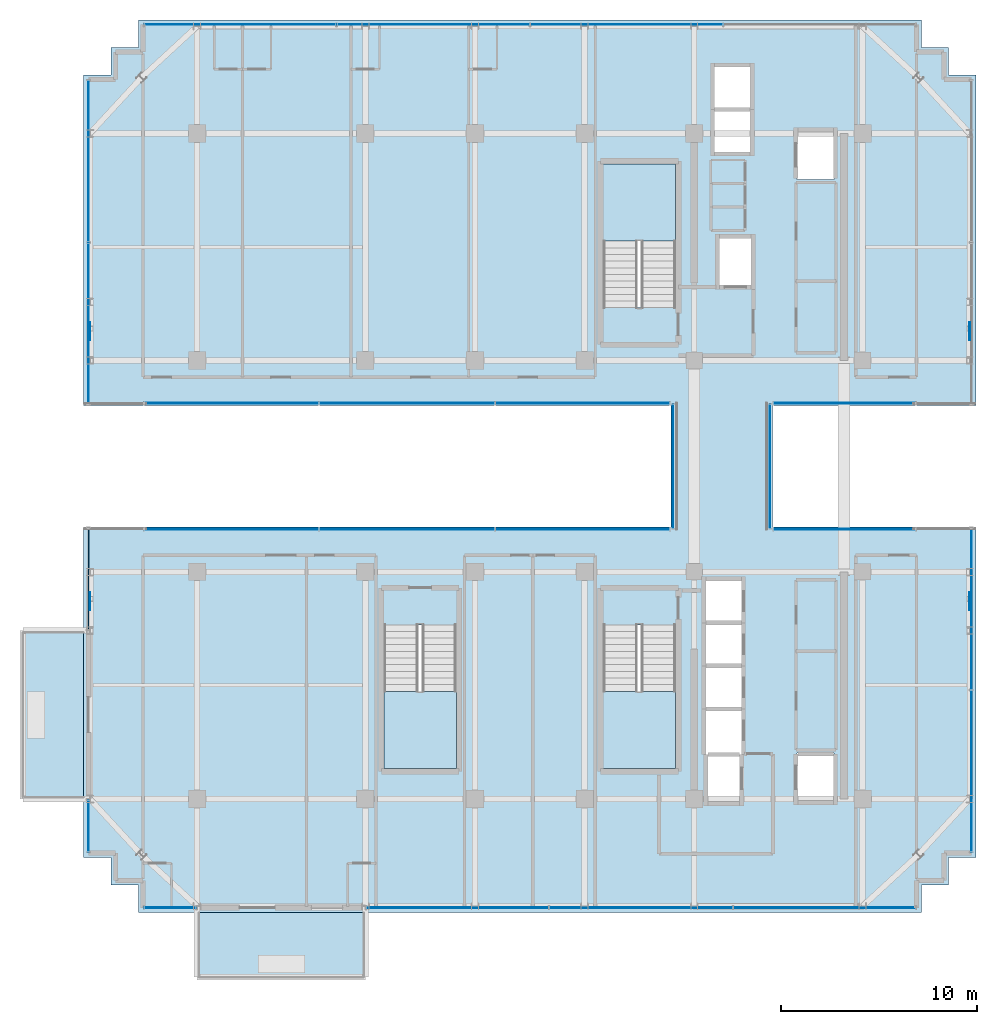
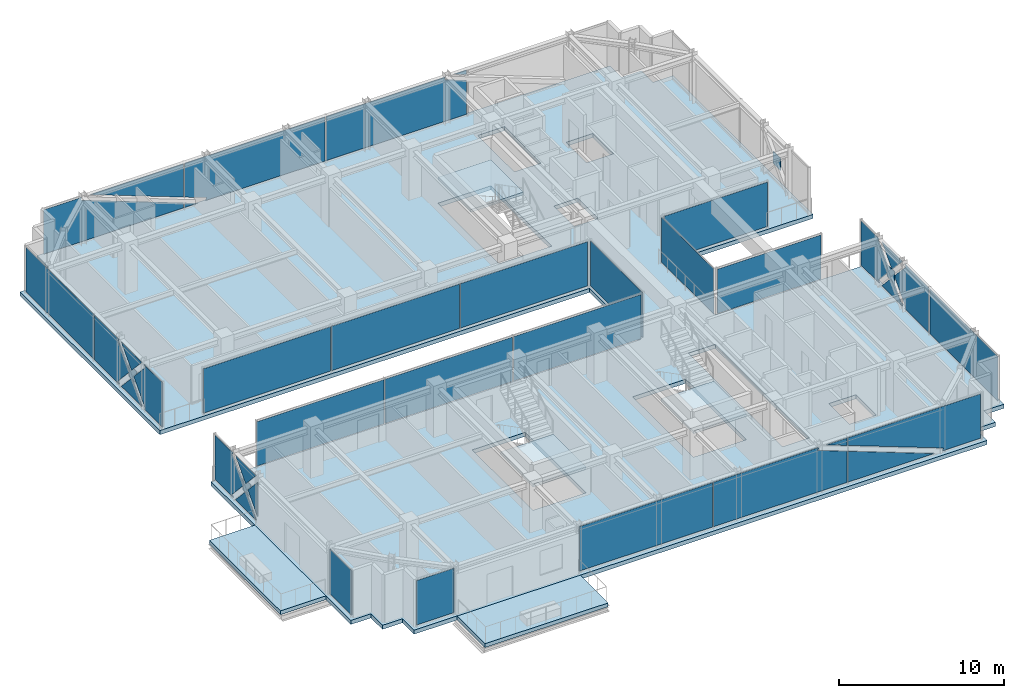
# One storey, part 29 of 37: 27 plates, 6 slabs, 16 elements without a shape of their own.
"""IFC4 building model written with IfcOpenShell, lengths in metres."""

from ifc_helpers import new_model, si_unit, direction, frame, origin, origin_2d, place, context, subcontext, project, spatial, polyline, rectangle, outline, extrude, source, transform, mapped, material, layer, layer_set, type_object, element, aggregate, save


model = new_model("IFC4")

# Units and contexts
model_context = context("Model", 3, precision=1e-05, world=origin(), true_north=direction((0.0, 1.0)))
body_context = subcontext(model_context, "Body", "Model", "MODEL_VIEW")
ifc_project = project(units=[si_unit("LENGTHUNIT", "METRE"), si_unit("AREAUNIT", "SQUARE_METRE"), si_unit("VOLUMEUNIT", "CUBIC_METRE"), si_unit("PLANEANGLEUNIT", "RADIAN"), si_unit("MASSUNIT", "GRAM", prefix="KILO")], contexts=[model_context])

# Site, building, storey
site_placement = place(None, origin())
site = spatial("IfcSite", under=ifc_project, at=site_placement, CompositionType="ELEMENT")
building_placement = place(site_placement, origin())
building = spatial("IfcBuilding", under=site, at=building_placement, Name="Nahalor Promenade Grand Hotel", CompositionType="ELEMENT")
storey_placement = place(building_placement, frame((0.0, 0.0, 292.64990234375)))
storey = spatial("IfcBuildingStorey", under=building, at=storey_placement, Name="L75", CompositionType="ELEMENT", Elevation=292.64990234375)

# Curtain wall, plates
ifc_material_1 = material(Name="Anodised Bronze Aluminium EN AW-6063 T6", Category="aluminium")
curtain_wall_type_1 = type_object("IfcCurtainWallType", Name="CW3 Elliptical-Void Collar Unitised Curtain Wall", PredefinedType="USERDEFINED", material=ifc_material_1)
curtain_wall_1_placement = place(storey_placement, origin())
curtain_wall_1 = element("IfcCurtainWall", 1, at=curtain_wall_1_placement, inside=storey, type_object=curtain_wall_type_1, Name="L75 Curtain Wall CW-L75-S-3", ObjectType="UNITISED_CURTAIN_WALL", PredefinedType="USERDEFINED")
ifc_material_2 = material(Name="Low-E Laminated Solar Glass", Category="glass")
ifc_layer_1 = layer(ifc_material_2, 0.030029296875)
ifc_layer_set_1 = layer_set([ifc_layer_1], Name="Low-E Laminated Solar Glass")
plate_type_1 = type_object("IfcPlateType", Name="CWP3 High-Wind Laminated Bronze IGU 30mm", PredefinedType="CURTAIN_PANEL", material=ifc_layer_set_1)
plate_1_placement = place(storey_placement, frame((5.679931640625, -22.56005859375, 0.14013671875), z_axis=(0.0, 0.0, 1.0), x_axis=(1.0, 0.0, 0.0)))
plate_1 = element("IfcPlate", 2, at=plate_1_placement, type_object=plate_type_1, Name="CW-L75-S-3 Glazing Panel 1-0", PredefinedType="CURTAIN_PANEL", context=body_context, shape_type="SweptSolid", body=[
    extrude(outline(polyline([(-4.658447265625, 0.0), (4.658447265625, 0.0), (4.658447265625, 2.313720703125), (2.6259765625, 3.081787109375), (2.697021484375, 3.27001953125), (-4.658447265625, 3.27001953125), (-4.658447265625, 0.0)])), frame((0.0, 0.01513671875, 0.0), z_axis=(0.0, -1.0, 0.0), x_axis=(1.0, 0.0, 0.0)), (0.0, 0.0, 1.0), 0.030029296875),
    extrude(outline(polyline([(4.658447265625, 2.7412109375), (4.658447265625, 3.27001953125), (3.25927734375, 3.27001953125), (4.658447265625, 2.7412109375)])), frame((0.0, 0.01513671875, 0.0), z_axis=(0.0, -1.0, 0.0), x_axis=(1.0, 0.0, 0.0)), (0.0, 0.0, 1.0), 0.030029296875),
])
plate_2_placement = place(storey_placement, frame((15.049072265625, -22.56005859375, 0.14013671875), z_axis=(0.0, 0.0, 1.0), x_axis=(1.0, 0.0, 0.0)))
plate_2 = element("IfcPlate", 3, at=plate_2_placement, type_object=plate_type_1, Name="CW-L75-S-3 Glazing Panel 2-0", PredefinedType="CURTAIN_PANEL", context=body_context, shape_type="SweptSolid", body=[
    extrude(outline(polyline([(4.640869140625, 3.27001953125), (-4.640869140625, 3.27001953125), (-4.640869140625, 2.71484375), (2.044921875, 0.188232421875), (1.973876953125, 0.0), (4.640869140625, 0.0), (4.640869140625, 3.27001953125)])), frame((0.0, 0.01513671875, 0.0), z_axis=(0.0, -1.0, 0.0), x_axis=(1.0, 0.0, 0.0)), (0.0, 0.0, 1.0), 0.030029296875),
    extrude(outline(polyline([(-4.640869140625, 2.287353515625), (-4.640869140625, 0.0), (1.41162109375, 0.0), (-4.640869140625, 2.287353515625)])), frame((0.0, 0.01513671875, 0.0), z_axis=(0.0, -1.0, 0.0), x_axis=(1.0, 0.0, 0.0)), (0.0, 0.0, 1.0), 0.030029296875),
])

curtain_wall_2_placement = place(storey_placement, origin())
curtain_wall_2 = element("IfcCurtainWall", 4, at=curtain_wall_2_placement, inside=storey, type_object=curtain_wall_type_1, Name="L75 Curtain Wall CW-L75-N-1", ObjectType="UNITISED_CURTAIN_WALL", PredefinedType="USERDEFINED")
plate_3_placement = place(storey_placement, frame((-14.802490234375, 22.56005859375, 0.14013671875), z_axis=(0.0, 0.0, 1.0), x_axis=(1.0, 0.0, 0.0)))
plate_3 = element("IfcPlate", 5, at=plate_3_placement, type_object=plate_type_1, Name="CW-L75-N-1 Glazing Panel 0-0", PredefinedType="CURTAIN_PANEL", context=body_context, shape_type="SweptSolid", body=[
    extrude(outline(polyline([(-4.887451171875, 0.0), (4.887451171875, 0.0), (4.887451171875, 0.36865234375), (-2.29150390625, 3.081787109375), (-2.220458984375, 3.27001953125), (-4.887451171875, 3.27001953125), (-4.887451171875, 0.0)])), frame((0.0, 0.01513671875, 0.0), z_axis=(0.0, -1.0, 0.0), x_axis=(1.0, 0.0, 0.0)), (0.0, 0.0, 1.0), 0.030029296875),
    extrude(outline(polyline([(4.887451171875, 0.79638671875), (4.887451171875, 3.27001953125), (-1.658203125, 3.27001953125), (4.887451171875, 0.79638671875)])), frame((0.0, 0.01513671875, 0.0), z_axis=(0.0, -1.0, 0.0), x_axis=(1.0, 0.0, 0.0)), (0.0, 0.0, 1.0), 0.030029296875),
])
plate_4_placement = place(storey_placement, frame((-4.93994140625, 22.56005859375, 0.14013671875), z_axis=(0.0, 0.0, 1.0), x_axis=(1.0, 0.0, 0.0)))
plate_4 = element("IfcPlate", 6, at=plate_4_placement, type_object=plate_type_1, Name="CW-L75-N-1 Glazing Panel 1-0", PredefinedType="CURTAIN_PANEL", context=body_context, shape_type="SweptSolid", body=[
    extrude(outline(polyline([(4.905029296875, 3.27001953125), (-4.905029296875, 3.27001953125), (-4.905029296875, 0.769775390625), (-3.365966796875, 0.188232421875), (-3.43701171875, 0.0), (4.905029296875, 0.0), (4.905029296875, 3.27001953125)])), frame((0.0, 0.01513671875, 0.0), z_axis=(0.0, -1.0, 0.0), x_axis=(1.0, 0.0, 0.0)), (0.0, 0.0, 1.0), 0.030029296875),
    extrude(outline(polyline([(-4.905029296875, 0.34228515625), (-4.905029296875, 0.0), (-3.999267578125, 0.0), (-4.905029296875, 0.34228515625)])), frame((0.0, 0.01513671875, 0.0), z_axis=(0.0, -1.0, 0.0), x_axis=(1.0, 0.0, 0.0)), (0.0, 0.0, 1.0), 0.030029296875),
])
plate_5_placement = place(storey_placement, frame((4.93994140625, 22.56005859375, 0.14013671875), z_axis=(0.0, 0.0, 1.0), x_axis=(1.0, 0.0, 0.0)))
plate_5 = element("IfcPlate", 7, at=plate_5_placement, type_object=plate_type_1, Name="CW-L75-N-1 Glazing Panel 2-0", PredefinedType="CURTAIN_PANEL", context=body_context, shape_type="SweptSolid", body=[
    extrude(outline(polyline([(-4.905029296875, 0.0), (4.905029296875, 0.0), (4.905029296875, 2.5), (3.365966796875, 3.081787109375), (3.43701171875, 3.27001953125), (-4.905029296875, 3.27001953125), (-4.905029296875, 0.0)])), frame((0.0, 0.01513671875, 0.0), z_axis=(0.0, -1.0, 0.0), x_axis=(1.0, 0.0, 0.0)), (0.0, 0.0, 1.0), 0.030029296875),
    extrude(outline(polyline([(4.905029296875, 2.927734375), (4.905029296875, 3.27001953125), (3.999267578125, 3.27001953125), (4.905029296875, 2.927734375)])), frame((0.0, 0.01513671875, 0.0), z_axis=(0.0, -1.0, 0.0), x_axis=(1.0, 0.0, 0.0)), (0.0, 0.0, 1.0), 0.030029296875),
])
aggregate(curtain_wall_2, [plate_3, plate_4, plate_5])

# Curtain wall, plate
curtain_wall_3_placement = place(storey_placement, origin())
curtain_wall_3 = element("IfcCurtainWall", 8, at=curtain_wall_3_placement, inside=storey, type_object=curtain_wall_type_1, Name="L75 Curtain Wall CW-L75-W-3", ObjectType="UNITISED_CURTAIN_WALL", PredefinedType="USERDEFINED")
plate_6_placement = place(storey_placement, frame((-22.56005859375, -5.75, 0.14013671875), z_axis=(0.0, 0.0, 1.0), x_axis=(0.0, 1.0, 0.0)))
plate_6 = element("IfcPlate", 9, at=plate_6_placement, type_object=plate_type_1, Name="CW-L75-W-3 Glazing Panel 0-0", PredefinedType="CURTAIN_PANEL", context=body_context, shape_type="SweptSolid", body=[
    extrude(outline(polyline([(-1.422119140625, 1.635009765625), (-2.580078125, 2.889404296875), (-2.580078125, 0.380615234375), (-1.422119140625, 1.635009765625)])), frame((0.0, 0.01513671875, 0.0), z_axis=(0.0, -1.0, 0.0), x_axis=(1.0, 0.0, 0.0)), (0.0, 0.0, 1.0), 0.030029296875),
    extrude(outline(polyline([(-1.14990234375, 1.340087890625), (-2.386962890625, 0.0), (0.087158203125, 0.0), (-1.14990234375, 1.340087890625)])), frame((0.0, 0.01513671875, 0.0), z_axis=(0.0, -1.0, 0.0), x_axis=(1.0, 0.0, 0.0)), (0.0, 0.0, 1.0), 0.030029296875),
    extrude(outline(polyline([(-1.14990234375, 1.929931640625), (0.087158203125, 3.27001953125), (-2.386962890625, 3.27001953125), (-1.14990234375, 1.929931640625)])), frame((0.0, 0.01513671875, 0.0), z_axis=(0.0, -1.0, 0.0), x_axis=(1.0, 0.0, 0.0)), (0.0, 0.0, 1.0), 0.030029296875),
    extrude(outline(polyline([(2.580078125, 0.0), (2.580078125, 3.27001953125), (0.3759765625, 3.27001953125), (0.513916015625, 3.142822265625), (-0.8779296875, 1.635009765625), (0.513916015625, 0.127197265625), (0.3759765625, 0.0), (2.580078125, 0.0)])), frame((0.0, 0.01513671875, 0.0), z_axis=(0.0, -1.0, 0.0), x_axis=(1.0, 0.0, 0.0)), (0.0, 0.0, 1.0), 0.030029296875),
])
aggregate(curtain_wall_3, [plate_6])

curtain_wall_4_placement = place(storey_placement, origin())
curtain_wall_4 = element("IfcCurtainWall", 10, at=curtain_wall_4_placement, inside=storey, type_object=curtain_wall_type_1, Name="L75 Curtain Wall CW-L75-W-4", ObjectType="UNITISED_CURTAIN_WALL", PredefinedType="USERDEFINED")
plate_7_placement = place(storey_placement, frame((-22.56005859375, 7.282470703125, 0.14013671875), z_axis=(0.0, 0.0, 1.0), x_axis=(0.0, 1.0, 0.0)))
plate_7 = element("IfcPlate", 11, at=plate_7_placement, type_object=plate_type_1, Name="CW-L75-W-4 Glazing Panel 0-0", PredefinedType="CURTAIN_PANEL", context=body_context, shape_type="SweptSolid", body=[
    extrude(outline(polyline([(-4.112548828125, 3.27001953125), (-4.112548828125, 0.0), (-1.908447265625, 0.0), (-2.04638671875, 0.127197265625), (-0.65478515625, 1.635009765625), (-2.04638671875, 3.142822265625), (-1.908447265625, 3.27001953125), (-4.112548828125, 3.27001953125)])), frame((0.0, 0.01513671875, 0.0), z_axis=(0.0, -1.0, 0.0), x_axis=(1.0, 0.0, 0.0)), (0.0, 0.0, 1.0), 0.030029296875),
    extrude(outline(polyline([(-0.382568359375, 1.340087890625), (-1.61962890625, 0.0), (0.8544921875, 0.0), (-0.382568359375, 1.340087890625)])), frame((0.0, 0.01513671875, 0.0), z_axis=(0.0, -1.0, 0.0), x_axis=(1.0, 0.0, 0.0)), (0.0, 0.0, 1.0), 0.030029296875),
    extrude(outline(polyline([(-0.382568359375, 1.929931640625), (0.8544921875, 3.27001953125), (-1.61962890625, 3.27001953125), (-0.382568359375, 1.929931640625)])), frame((0.0, 0.01513671875, 0.0), z_axis=(0.0, -1.0, 0.0), x_axis=(1.0, 0.0, 0.0)), (0.0, 0.0, 1.0), 0.030029296875),
    extrude(outline(polyline([(4.112548828125, 0.0), (4.112548828125, 3.27001953125), (1.1435546875, 3.27001953125), (1.281494140625, 3.142822265625), (-0.1103515625, 1.635009765625), (1.281494140625, 0.127197265625), (1.1435546875, 0.0), (4.112548828125, 0.0)])), frame((0.0, 0.01513671875, 0.0), z_axis=(0.0, -1.0, 0.0), x_axis=(1.0, 0.0, 0.0)), (0.0, 0.0, 1.0), 0.030029296875),
])

curtain_wall_5_placement = place(storey_placement, origin())
curtain_wall_5 = element("IfcCurtainWall", 12, at=curtain_wall_5_placement, inside=storey, type_object=curtain_wall_type_1, Name="L75 Curtain Wall CW-L75-E-1", ObjectType="UNITISED_CURTAIN_WALL", PredefinedType="USERDEFINED")
plate_8_placement = place(storey_placement, frame((22.56005859375, -7.282470703125, 0.14013671875), z_axis=(0.0, 0.0, 1.0), x_axis=(0.0, 1.0, 0.0)))
plate_8 = element("IfcPlate", 13, at=plate_8_placement, type_object=plate_type_1, Name="CW-L75-E-1 Glazing Panel 1-0", PredefinedType="CURTAIN_PANEL", context=body_context, shape_type="SweptSolid", body=[
    extrude(outline(polyline([(-4.112548828125, 3.27001953125), (-4.112548828125, 0.0), (-1.1435546875, 0.0), (-1.281494140625, 0.127197265625), (0.1103515625, 1.635009765625), (-1.281494140625, 3.142822265625), (-1.1435546875, 3.27001953125), (-4.112548828125, 3.27001953125)])), frame((0.0, 0.01513671875, 0.0), z_axis=(0.0, -1.0, 0.0), x_axis=(1.0, 0.0, 0.0)), (0.0, 0.0, 1.0), 0.030029296875),
    extrude(outline(polyline([(0.382568359375, 1.340087890625), (-0.8544921875, 0.0), (1.61962890625, 0.0), (0.382568359375, 1.340087890625)])), frame((0.0, 0.01513671875, 0.0), z_axis=(0.0, -1.0, 0.0), x_axis=(1.0, 0.0, 0.0)), (0.0, 0.0, 1.0), 0.030029296875),
    extrude(outline(polyline([(0.382568359375, 1.929931640625), (1.61962890625, 3.27001953125), (-0.8544921875, 3.27001953125), (0.382568359375, 1.929931640625)])), frame((0.0, 0.01513671875, 0.0), z_axis=(0.0, -1.0, 0.0), x_axis=(1.0, 0.0, 0.0)), (0.0, 0.0, 1.0), 0.030029296875),
    extrude(outline(polyline([(4.112548828125, 0.0), (4.112548828125, 3.27001953125), (1.908447265625, 3.27001953125), (2.04638671875, 3.142822265625), (0.65478515625, 1.635009765625), (2.04638671875, 0.127197265625), (1.908447265625, 0.0), (4.112548828125, 0.0)])), frame((0.0, 0.01513671875, 0.0), z_axis=(0.0, -1.0, 0.0), x_axis=(1.0, 0.0, 0.0)), (0.0, 0.0, 1.0), 0.030029296875),
])

# Stair, slab
ifc_material_3 = material(Name="Concrete B-50 (C40/50)", Category="concrete")
stair_type_1 = type_object("IfcStairType", Name="Stair-ST1", PredefinedType="HALF_TURN_STAIR", material=ifc_material_3)
stair_1_placement = place(storey_placement, origin())
stair_1 = element("IfcStair", 14, at=stair_1_placement, inside=storey, type_object=stair_type_1, Name="L75 ST1", PredefinedType="HALF_TURN_STAIR")
ifc_layer_2 = layer(ifc_material_3, 0.199951171875)
ifc_layer_set_2 = layer_set([ifc_layer_2], Name="Concrete B-50 (C40/50)")
slab_type_1 = type_object("IfcSlabType", Name="Landing-ST1", PredefinedType="LANDING", material=ifc_layer_set_2)
slab_1_placement = place(storey_placement, frame((0.0, 0.0, 1.72509765625)))
slab_1 = element("IfcSlab", 15, at=slab_1_placement, type_object=slab_type_1, Name="ST1 landing 1", PredefinedType="LANDING", context=body_context, shape_type="SweptSolid", body=[
    extrude(outline(polyline([(7.449951171875, 11.5), (7.449951171875, 15.449951171875), (3.75, 15.449951171875), (3.75, 11.5), (7.449951171875, 11.5)])), origin(), (0.0, 0.0, 1.0), 0.199951171875),
])
aggregate(stair_1, [slab_1])

stair_type_2 = type_object("IfcStairType", Name="Stair-ST2", PredefinedType="HALF_TURN_STAIR", material=ifc_material_3)
stair_2_placement = place(storey_placement, origin())
stair_2 = element("IfcStair", 16, at=stair_2_placement, inside=storey, type_object=stair_type_2, Name="L75 ST2", PredefinedType="HALF_TURN_STAIR")
ifc_layer_3 = layer(ifc_material_3, 0.2099609375)
ifc_layer_set_3 = layer_set([ifc_layer_3], Name="Concrete B-50 (C40/50)")
slab_type_2 = type_object("IfcSlabType", Name="Landing-ST2", PredefinedType="LANDING", material=ifc_layer_set_3)
slab_2_placement = place(storey_placement, frame((0.0, 0.0, 1.715087890625)))
slab_2 = element("IfcSlab", 17, at=slab_2_placement, type_object=slab_type_2, Name="ST2 landing 1", PredefinedType="LANDING", context=body_context, shape_type="SweptSolid", body=[
    extrude(outline(polyline([(3.75, -11.5), (3.75, -15.449951171875), (7.449951171875, -15.449951171875), (7.449951171875, -11.5), (3.75, -11.5)])), origin(), (0.0, 0.0, 1.0), 0.2099609375),
])
aggregate(stair_2, [slab_2])

stair_type_3 = type_object("IfcStairType", Name="Stair-ST3", PredefinedType="HALF_TURN_STAIR", material=ifc_material_3)
stair_3_placement = place(storey_placement, origin())
stair_3 = element("IfcStair", 18, at=stair_3_placement, inside=storey, type_object=stair_type_3, Name="L75 ST3", PredefinedType="HALF_TURN_STAIR")
ifc_layer_4 = layer(ifc_material_3, 0.219970703125)
ifc_layer_set_4 = layer_set([ifc_layer_4], Name="Concrete B-50 (C40/50)")
slab_type_3 = type_object("IfcSlabType", Name="Landing-ST3", PredefinedType="LANDING", material=ifc_layer_set_4)
slab_3_placement = place(storey_placement, frame((0.0, 0.0, 1.705078125)))
slab_3 = element("IfcSlab", 19, at=slab_3_placement, type_object=slab_type_3, Name="ST3 landing 1", PredefinedType="LANDING", context=body_context, shape_type="SweptSolid", body=[
    extrude(outline(polyline([(-7.449951171875, -11.5), (-7.449951171875, -15.449951171875), (-3.75, -15.449951171875), (-3.75, -11.5), (-7.449951171875, -11.5)])), origin(), (0.0, 0.0, 1.0), 0.219970703125),
])
aggregate(stair_3, [slab_3])

# Slabs
ifc_layer_5 = layer(ifc_material_3, 0.280029296875)
ifc_layer_set_5 = layer_set([ifc_layer_5], Name="Concrete B-50 (C40/50)")
slab_type_4 = type_object("IfcSlabType", Name="Slab-Balcony-280", PredefinedType="FLOOR", material=ifc_layer_set_5)
slab_4_placement = place(storey_placement, frame((0.0, 0.0, -0.27978515625)))
element("IfcSlab", 20, at=slab_4_placement, inside=storey, type_object=slab_type_4, Name="L75 Cantilevered Planted Balcony 1", PredefinedType="FLOOR", context=body_context, shape_type="SweptSolid", body=[
    extrude(outline(polyline([(-17.0, -26.179931640625), (-8.39990234375, -26.179931640625), (-8.39990234375, -22.800048828125), (-17.0, -22.800048828125), (-17.0, -26.179931640625)])), origin(), (0.0, 0.0, 1.0), 0.27978515625),
])
slab_5_placement = place(storey_placement, frame((0.0, 0.0, -0.27978515625)))
element("IfcSlab", 21, at=slab_5_placement, inside=storey, type_object=slab_type_4, Name="L75 Cantilevered Planted Balcony 2", PredefinedType="FLOOR", context=body_context, shape_type="SweptSolid", body=[
    extrude(outline(polyline([(-25.97998046875, -17.0), (-22.800048828125, -17.0), (-22.800048828125, -8.39990234375), (-25.97998046875, -8.39990234375), (-25.97998046875, -17.0)])), origin(), (0.0, 0.0, 1.0), 0.27978515625),
])
ifc_layer_6 = layer(ifc_material_3, 0.300048828125)
ifc_layer_set_6 = layer_set([ifc_layer_6], Name="Concrete B-50 (C40/50)")
slab_type_5 = type_object("IfcSlabType", Name="Slab-TowerZ5-300", PredefinedType="FLOOR", material=ifc_layer_set_6)
slab_6_placement = place(storey_placement, frame((0.0, 0.0, -0.2998046875)))
element("IfcSlab", 22, at=slab_6_placement, inside=storey, type_object=slab_type_5, Name="L75 Suspended Structural Floor Slab", PredefinedType="FLOOR", context=body_context, shape_type="SweptSolid", body=[
    extrude(outline(polyline([(-20.0, -22.800048828125), (20.0, -22.800048828125), (20.0, -21.39990234375), (21.39990234375, -21.39990234375), (21.39990234375, -20.0), (22.800048828125, -20.0), (22.800048828125, -3.10009765625), (12.39990234375, -3.10009765625), (12.39990234375, 3.10009765625), (22.800048828125, 3.10009765625), (22.800048828125, 20.0), (21.39990234375, 20.0), (21.39990234375, 21.39990234375), (20.0, 21.39990234375), (20.0, 22.800048828125), (-20.0, 22.800048828125), (-20.0, 21.39990234375), (-21.39990234375, 21.39990234375), (-21.39990234375, 20.0), (-22.800048828125, 20.0), (-22.800048828125, 3.10009765625), (7.199951171875, 3.10009765625), (7.199951171875, -3.10009765625), (-22.800048828125, -3.10009765625), (-22.800048828125, -20.0), (-21.39990234375, -20.0), (-21.39990234375, -21.39990234375), (-20.0, -21.39990234375), (-20.0, -22.800048828125)]), holes=[polyline([(3.75, 8.10009765625), (7.449951171875, 8.10009765625), (7.449951171875, 15.449951171875), (3.75, 15.449951171875), (3.75, 8.10009765625)]), polyline([(3.75, -15.449951171875), (7.449951171875, -15.449951171875), (7.449951171875, -8.10009765625), (3.75, -8.10009765625), (3.75, -15.449951171875)]), polyline([(-7.449951171875, -15.449951171875), (-3.75, -15.449951171875), (-3.75, -8.10009765625), (-7.449951171875, -8.10009765625), (-7.449951171875, -15.449951171875)]), polyline([(8.9599609375, -17.18994140625), (10.840087890625, -17.18994140625), (10.840087890625, -5.81005859375), (8.9599609375, -5.81005859375), (8.9599609375, -17.18994140625)]), polyline([(9.409912109375, 16.010009765625), (11.2900390625, 16.010009765625), (11.2900390625, 20.43994140625), (9.409912109375, 20.43994140625), (9.409912109375, 16.010009765625)]), polyline([(9.659912109375, 9.2099609375), (11.340087890625, 9.2099609375), (11.340087890625, 11.68994140625), (9.659912109375, 11.68994140625), (9.659912109375, 9.2099609375)]), polyline([(13.659912109375, 14.659912109375), (15.5400390625, 14.659912109375), (15.5400390625, 17.139892578125), (13.659912109375, 17.139892578125), (13.659912109375, 14.659912109375)]), polyline([(13.659912109375, -17.139892578125), (15.5400390625, -17.139892578125), (15.5400390625, -14.659912109375), (13.659912109375, -14.659912109375), (13.659912109375, -17.139892578125)])]), origin(), (0.0, 0.0, 1.0), 0.2998046875),
])

# Plates
ifc_material_4 = material(Name="Steel S355J2", Category="steel")
ifc_layer_7 = layer(ifc_material_4, 0.035888671875)
ifc_layer_set_7 = layer_set([ifc_layer_7], Name="Steel S355J2")
plate_type_2 = type_object("IfcPlateType", Name="Plate-CrossGusset-36", PredefinedType="USERDEFINED", material=ifc_layer_set_7)
shared_shape_1 = source(origin(), body_context, "Body", "SweptSolid", [
    extrude(rectangle(XDim=0.89990234375, YDim=0.035888671875, at=origin_2d()), origin(), (0.0, 0.0, 1.0), 0.89990234375),
])
for number, where, z_axis, x_axis, name in (
    (23, (-22.47998046875, -6.89990234375, 1.3251953125), (0.0, 0.0, 1.0), (0.0, 1.0, 0.0), "PL-L75-VXX-W0"),
    (24, (-22.47998046875, 6.89990234375, 1.3251953125), (0.0, 0.0, 1.0), (0.0, 1.0, 0.0), "PL-L75-VXX-W1"),
    (25, (22.47998046875, -6.89990234375, 1.3251953125), (0.0, 0.0, 1.0), (0.0, 1.0, 0.0), "PL-L75-VXX-E0"),
    (26, (22.47998046875, 6.89990234375, 1.3251953125), (0.0, 0.0, 1.0), (0.0, 1.0, 0.0), "PL-L75-VXX-E1"),
):
    element("IfcPlate", number, at=place(storey_placement, frame(where, z_axis=z_axis, x_axis=x_axis)), inside=storey, type_object=plate_type_2, Name=name, ObjectType="GUSSET_PLATE", PredefinedType="USERDEFINED", context=body_context, shape_type="MappedRepresentation", body=[
        mapped(shared_shape_1, transform((0.0, 0.0, 0.0), scale=1.0)),
    ])

# Curtain wall, plate
curtain_wall_6_placement = place(storey_placement, origin())
curtain_wall_6 = element("IfcCurtainWall", 27, at=curtain_wall_6_placement, inside=storey, type_object=curtain_wall_type_1, Name="L75 Curtain Wall CW-L75-S-1", ObjectType="UNITISED_CURTAIN_WALL", PredefinedType="USERDEFINED")
shared_shape_2 = source(origin(), body_context, "Body", "SweptSolid", [
    extrude(rectangle(XDim=2.6201171875, YDim=0.030029296875, at=origin_2d()), origin(), (0.0, 0.0, 1.0), 3.27001953125),
])
plate_9_placement = place(storey_placement, frame((-18.3798828125, -22.56005859375, 0.14013671875), z_axis=(0.0, 0.0, 1.0), x_axis=(1.0, 0.0, 0.0)))
plate_9 = element("IfcPlate", 28, at=plate_9_placement, type_object=plate_type_1, Name="CW-L75-S-1 Glazing Panel 0-0", PredefinedType="CURTAIN_PANEL", context=body_context, shape_type="MappedRepresentation", body=[
    mapped(shared_shape_2, transform((0.0, 0.0, 0.0), scale=1.0)),
])
aggregate(curtain_wall_6, [plate_9])

curtain_wall_7_placement = place(storey_placement, origin())
curtain_wall_7 = element("IfcCurtainWall", 29, at=curtain_wall_7_placement, inside=storey, type_object=curtain_wall_type_1, Name="L75 Curtain Wall CW-L75-W-1", ObjectType="UNITISED_CURTAIN_WALL", PredefinedType="USERDEFINED")
plate_10_placement = place(storey_placement, frame((-22.56005859375, -18.3798828125, 0.14013671875), z_axis=(0.0, 0.0, 1.0), x_axis=(0.0, 1.0, 0.0)))
plate_10 = element("IfcPlate", 30, at=plate_10_placement, type_object=plate_type_1, Name="CW-L75-W-1 Glazing Panel 0-0", PredefinedType="CURTAIN_PANEL", context=body_context, shape_type="MappedRepresentation", body=[
    mapped(shared_shape_2, transform((0.0, 0.0, 0.0), scale=1.0)),
])
aggregate(curtain_wall_7, [plate_10])

# Plate
shared_shape_3 = source(origin(), body_context, "Body", "SweptSolid", [
    extrude(rectangle(XDim=9.28173828125, YDim=0.030029296875, at=origin_2d()), origin(), (0.0, 0.0, 1.0), 3.27001953125),
])
plate_11_placement = place(storey_placement, frame((-3.689208984375, -22.56005859375, 0.14013671875), z_axis=(0.0, 0.0, 1.0), x_axis=(1.0, 0.0, 0.0)))
plate_11 = element("IfcPlate", 31, at=plate_11_placement, type_object=plate_type_1, Name="CW-L75-S-3 Glazing Panel 0-0", PredefinedType="CURTAIN_PANEL", context=body_context, shape_type="MappedRepresentation", body=[
    mapped(shared_shape_3, transform((0.0, 0.0, 0.0), scale=1.0)),
])

aggregate(curtain_wall_1, [plate_11, plate_1, plate_2])

# Curtain wall, plates
curtain_wall_8_placement = place(storey_placement, origin())
curtain_wall_8 = element("IfcCurtainWall", 32, at=curtain_wall_8_placement, inside=storey, type_object=curtain_wall_type_1, Name="L75 Curtain Wall CW-L75-VOID-WS1", ObjectType="UNITISED_CURTAIN_WALL", PredefinedType="USERDEFINED")
shared_shape_4 = source(origin(), body_context, "Body", "SweptSolid", [
    extrude(rectangle(XDim=8.881591796875, YDim=0.030029296875, at=origin_2d()), origin(), (0.0, 0.0, 1.0), 3.27001953125),
])
plate_12_placement = place(storey_placement, frame((-15.249267578125, -3.219970703125, 0.14013671875), z_axis=(0.0, 0.0, 1.0), x_axis=(1.0, 0.0, 0.0)))
plate_12 = element("IfcPlate", 33, at=plate_12_placement, type_object=plate_type_1, Name="CW-L75-VOID-WS1 Glazing Panel 0-0", PredefinedType="CURTAIN_PANEL", context=body_context, shape_type="MappedRepresentation", body=[
    mapped(shared_shape_4, transform((0.0, 0.0, 0.0), scale=1.0)),
])
plate_13_placement = place(storey_placement, frame((2.689208984375, -3.219970703125, 0.14013671875), z_axis=(0.0, 0.0, 1.0), x_axis=(1.0, 0.0, 0.0)))
plate_13 = element("IfcPlate", 34, at=plate_13_placement, type_object=plate_type_1, Name="CW-L75-VOID-WS1 Glazing Panel 2-0", PredefinedType="CURTAIN_PANEL", context=body_context, shape_type="MappedRepresentation", body=[
    mapped(shared_shape_4, transform((0.0, 0.0, 0.0), scale=1.0)),
])

curtain_wall_9_placement = place(storey_placement, origin())
curtain_wall_9 = element("IfcCurtainWall", 35, at=curtain_wall_9_placement, inside=storey, type_object=curtain_wall_type_1, Name="L75 Curtain Wall CW-L75-VOID-WN1", ObjectType="UNITISED_CURTAIN_WALL", PredefinedType="USERDEFINED")
plate_14_placement = place(storey_placement, frame((-15.249267578125, 3.219970703125, 0.14013671875), z_axis=(0.0, 0.0, 1.0), x_axis=(1.0, 0.0, 0.0)))
plate_14 = element("IfcPlate", 36, at=plate_14_placement, type_object=plate_type_1, Name="CW-L75-VOID-WN1 Glazing Panel 0-0", PredefinedType="CURTAIN_PANEL", context=body_context, shape_type="MappedRepresentation", body=[
    mapped(shared_shape_4, transform((0.0, 0.0, 0.0), scale=1.0)),
])
plate_15_placement = place(storey_placement, frame((2.689208984375, 3.219970703125, 0.14013671875), z_axis=(0.0, 0.0, 1.0), x_axis=(1.0, 0.0, 0.0)))
plate_15 = element("IfcPlate", 37, at=plate_15_placement, type_object=plate_type_1, Name="CW-L75-VOID-WN1 Glazing Panel 2-0", PredefinedType="CURTAIN_PANEL", context=body_context, shape_type="MappedRepresentation", body=[
    mapped(shared_shape_4, transform((0.0, 0.0, 0.0), scale=1.0)),
])

# Plate
shared_shape_5 = source(origin(), body_context, "Body", "SweptSolid", [
    extrude(rectangle(XDim=8.916748046875, YDim=0.030029296875, at=origin_2d()), origin(), (0.0, 0.0, 1.0), 3.27001953125),
])
plate_16_placement = place(storey_placement, frame((-6.280029296875, -3.219970703125, 0.14013671875), z_axis=(0.0, 0.0, 1.0), x_axis=(1.0, 0.0, 0.0)))
plate_16 = element("IfcPlate", 38, at=plate_16_placement, type_object=plate_type_1, Name="CW-L75-VOID-WS1 Glazing Panel 1-0", PredefinedType="CURTAIN_PANEL", context=body_context, shape_type="MappedRepresentation", body=[
    mapped(shared_shape_5, transform((0.0, 0.0, 0.0), scale=1.0)),
])

aggregate(curtain_wall_8, [plate_12, plate_16, plate_13])

plate_17_placement = place(storey_placement, frame((-6.280029296875, 3.219970703125, 0.14013671875), z_axis=(0.0, 0.0, 1.0), x_axis=(1.0, 0.0, 0.0)))
plate_17 = element("IfcPlate", 39, at=plate_17_placement, type_object=plate_type_1, Name="CW-L75-VOID-WN1 Glazing Panel 1-0", PredefinedType="CURTAIN_PANEL", context=body_context, shape_type="MappedRepresentation", body=[
    mapped(shared_shape_5, transform((0.0, 0.0, 0.0), scale=1.0)),
])

aggregate(curtain_wall_9, [plate_14, plate_17, plate_15])

# Curtain wall, plate
curtain_wall_10_placement = place(storey_placement, origin())
curtain_wall_10 = element("IfcCurtainWall", 40, at=curtain_wall_10_placement, inside=storey, type_object=curtain_wall_type_1, Name="L75 Curtain Wall CW-L75-VOID-ES1", ObjectType="UNITISED_CURTAIN_WALL", PredefinedType="USERDEFINED")
shared_shape_6 = source(origin(), body_context, "Body", "SweptSolid", [
    extrude(rectangle(XDim=7.219970703125, YDim=0.030029296875, at=origin_2d()), origin(), (0.0, 0.0, 1.0), 3.27001953125),
])
plate_18_placement = place(storey_placement, frame((16.080078125, -3.219970703125, 0.14013671875), z_axis=(0.0, 0.0, 1.0), x_axis=(1.0, 0.0, 0.0)))
plate_18 = element("IfcPlate", 41, at=plate_18_placement, type_object=plate_type_1, Name="CW-L75-VOID-ES1 Glazing Panel 0-0", PredefinedType="CURTAIN_PANEL", context=body_context, shape_type="MappedRepresentation", body=[
    mapped(shared_shape_6, transform((0.0, 0.0, 0.0), scale=1.0)),
])
aggregate(curtain_wall_10, [plate_18])

curtain_wall_11_placement = place(storey_placement, origin())
curtain_wall_11 = element("IfcCurtainWall", 42, at=curtain_wall_11_placement, inside=storey, type_object=curtain_wall_type_1, Name="L75 Curtain Wall CW-L75-VOID-EN1", ObjectType="UNITISED_CURTAIN_WALL", PredefinedType="USERDEFINED")
plate_19_placement = place(storey_placement, frame((16.080078125, 3.219970703125, 0.14013671875), z_axis=(0.0, 0.0, 1.0), x_axis=(1.0, 0.0, 0.0)))
plate_19 = element("IfcPlate", 43, at=plate_19_placement, type_object=plate_type_1, Name="CW-L75-VOID-EN1 Glazing Panel 0-0", PredefinedType="CURTAIN_PANEL", context=body_context, shape_type="MappedRepresentation", body=[
    mapped(shared_shape_6, transform((0.0, 0.0, 0.0), scale=1.0)),
])
aggregate(curtain_wall_11, [plate_19])

# Plate
shared_shape_7 = source(origin(), body_context, "Body", "SweptSolid", [
    extrude(rectangle(XDim=8.22509765625, YDim=0.030029296875, at=origin_2d()), origin(), (0.0, 0.0, 1.0), 3.27001953125),
])
plate_20_placement = place(storey_placement, frame((-22.56005859375, 15.577392578125, 0.14013671875), z_axis=(0.0, 0.0, 1.0), x_axis=(0.0, 1.0, 0.0)))
plate_20 = element("IfcPlate", 44, at=plate_20_placement, type_object=plate_type_1, Name="CW-L75-W-4 Glazing Panel 1-0", PredefinedType="CURTAIN_PANEL", context=body_context, shape_type="MappedRepresentation", body=[
    mapped(shared_shape_7, transform((0.0, 0.0, 0.0), scale=1.0)),
])

aggregate(curtain_wall_4, [plate_7, plate_20])

plate_21_placement = place(storey_placement, frame((22.56005859375, -15.577392578125, 0.14013671875), z_axis=(0.0, 0.0, 1.0), x_axis=(0.0, 1.0, 0.0)))
plate_21 = element("IfcPlate", 45, at=plate_21_placement, type_object=plate_type_1, Name="CW-L75-E-1 Glazing Panel 0-0", PredefinedType="CURTAIN_PANEL", context=body_context, shape_type="MappedRepresentation", body=[
    mapped(shared_shape_7, transform((0.0, 0.0, 0.0), scale=1.0)),
])

aggregate(curtain_wall_5, [plate_21, plate_8])

# Curtain wall, plate
curtain_wall_type_2 = type_object("IfcCurtainWallType", Name="CW4 Low-Iron Sky-Gallery Bridge Curtain Wall", PredefinedType="USERDEFINED", material=ifc_material_1)
curtain_wall_12_placement = place(storey_placement, origin())
curtain_wall_12 = element("IfcCurtainWall", 46, at=curtain_wall_12_placement, inside=storey, type_object=curtain_wall_type_2, Name="L75 Curtain Wall CW-L75-BRG-W", ObjectType="UNITISED_CURTAIN_WALL", PredefinedType="USERDEFINED")
ifc_layer_8 = layer(ifc_material_2, 0.02587890625)
ifc_layer_set_8 = layer_set([ifc_layer_8], Name="Low-E Laminated Solar Glass")
plate_type_3 = type_object("IfcPlateType", Name="CWP4 Ultra-Clear Low-Iron Bridge IGU 26mm", PredefinedType="CURTAIN_PANEL", material=ifc_layer_set_8)
shared_shape_8 = source(origin(), body_context, "Body", "SweptSolid", [
    extrude(rectangle(XDim=6.320068359375, YDim=0.02587890625, at=origin_2d()), origin(), (0.0, 0.0, 1.0), 3.31005859375),
])
plate_22_placement = place(storey_placement, frame((7.320068359375, 0.0, 0.1201171875), z_axis=(0.0, 0.0, 1.0), x_axis=(0.0, 1.0, 0.0)))
plate_22 = element("IfcPlate", 47, at=plate_22_placement, type_object=plate_type_3, Name="CW-L75-BRG-W Glazing Panel 0-0", PredefinedType="CURTAIN_PANEL", context=body_context, shape_type="MappedRepresentation", body=[
    mapped(shared_shape_8, transform((0.0, 0.0, 0.0), scale=1.0)),
])
aggregate(curtain_wall_12, [plate_22])

curtain_wall_13_placement = place(storey_placement, origin())
curtain_wall_13 = element("IfcCurtainWall", 48, at=curtain_wall_13_placement, inside=storey, type_object=curtain_wall_type_2, Name="L75 Curtain Wall CW-L75-BRG-E", ObjectType="UNITISED_CURTAIN_WALL", PredefinedType="USERDEFINED")
plate_23_placement = place(storey_placement, frame((12.280029296875, 0.0, 0.1201171875), z_axis=(0.0, 0.0, 1.0), x_axis=(0.0, 1.0, 0.0)))
plate_23 = element("IfcPlate", 49, at=plate_23_placement, type_object=plate_type_3, Name="CW-L75-BRG-E Glazing Panel 0-0", PredefinedType="CURTAIN_PANEL", context=body_context, shape_type="MappedRepresentation", body=[
    mapped(shared_shape_8, transform((0.0, 0.0, 0.0), scale=1.0)),
])
aggregate(curtain_wall_13, [plate_23])

save(model, "model.ifc")
